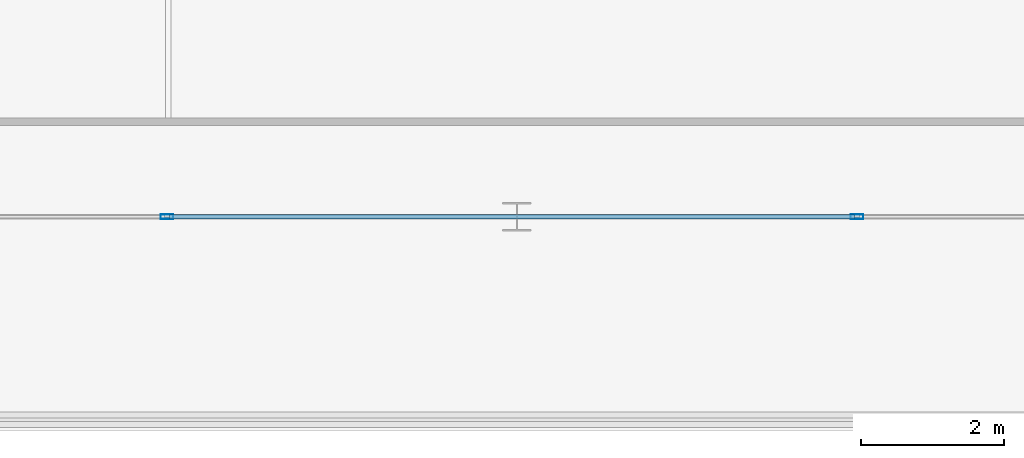
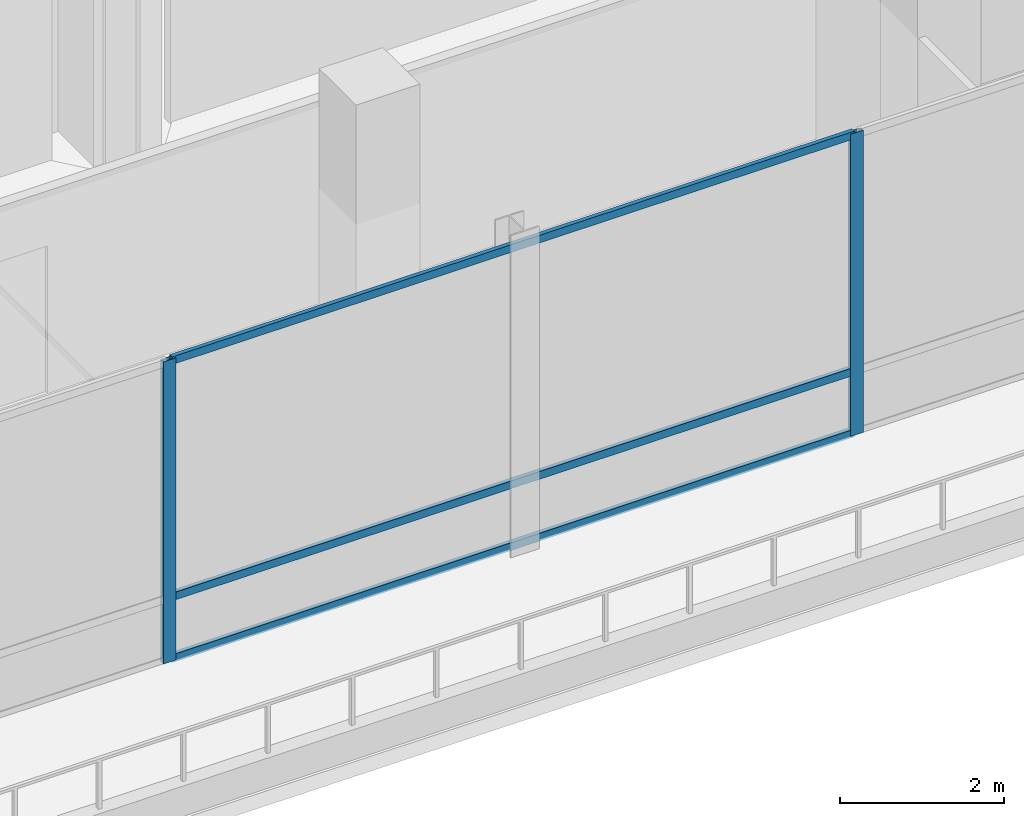
# One storey, part 7 of 39: 5 members, 1 element without a shape of its own.
"""IFC4 building model written with IfcOpenShell, lengths in metres."""

from ifc_helpers import new_model, si_unit, direction, frame, origin, origin_2d, place, context, subcontext, project, spatial, hollow_rectangle, extrude, material, layer, layer_set, material_profile, profile_set, type_object, element, aggregate, save


model = new_model("IFC4")

# Units and contexts
model_context = context("Model", 3, precision=1e-05, world=origin(), true_north=direction((0.0, 1.0)))
body_context = subcontext(model_context, "Body", "Model", "MODEL_VIEW")
ifc_project = project(units=[si_unit("LENGTHUNIT", "METRE"), si_unit("AREAUNIT", "SQUARE_METRE"), si_unit("VOLUMEUNIT", "CUBIC_METRE"), si_unit("PLANEANGLEUNIT", "RADIAN"), si_unit("MASSUNIT", "GRAM", prefix="KILO")], contexts=[model_context])

# Site, building, storey
site_placement = place(None, origin())
site = spatial("IfcSite", under=ifc_project, at=site_placement, CompositionType="ELEMENT")
building_placement = place(site_placement, origin())
building = spatial("IfcBuilding", under=site, at=building_placement, Name="Qianvela Tower", CompositionType="ELEMENT")
storey_placement = place(building_placement, frame((0.0, 0.0, 15.800048828125)))
storey = spatial("IfcBuildingStorey", under=building, at=storey_placement, Name="L03", CompositionType="ELEMENT", Elevation=15.800048828125)

# Curtain wall, members
ifc_material_1 = material(Name="Anodised Architectural Aluminium and Low-E Glass", Category="aluminium")
ifc_layer = layer(ifc_material_1, 0.179931640625)
ifc_layer_set = layer_set([ifc_layer], Name="Anodised Architectural Aluminium and Low-E Glass")
curtain_wall_type = type_object("IfcCurtainWallType", Name="CW-COMMONS", PredefinedType="USERDEFINED", material=ifc_layer_set)
curtain_wall_placement = place(storey_placement, origin())
curtain_wall = element("IfcCurtainWall", 1, at=curtain_wall_placement, inside=storey, type_object=curtain_wall_type, Name="L03 CW-COMMONS Curtain Wall 01", ObjectType="CURTAIN_WALL_SYSTEM", PredefinedType="USERDEFINED")
ifc_material_2 = material(Name="Anodised Architectural Aluminium 6063-T6", Category="aluminium")
ifc_material_profile_1 = material_profile(ifc_material_2, hollow_rectangle(XDim=0.070068359375, YDim=0.179931640625, WallThickness=0.0048828125, at=origin_2d()), Name="ALU-MULL-70x180")
ifc_profile_set_1 = profile_set([ifc_material_profile_1], Name="Anodised Architectural Aluminium 6063-T6")
member_type_1 = type_object("IfcMemberType", Name="CW-COMMONS-MULL", PredefinedType="MULLION", material=ifc_profile_set_1)
member_1_placement = place(storey_placement, frame((18.13330078125, 4.5, 0.0), z_axis=(0.0, 0.0, 1.0), x_axis=(0.0, 1.0, 0.0)))
member_1 = element("IfcMember", 2, at=member_1_placement, type_object=member_type_1, Name="CW-2 mullion 2", PredefinedType="MULLION", context=body_context, shape_type="SweptSolid", body=[
    extrude(hollow_rectangle(XDim=0.070068359375, YDim=0.179931640625, WallThickness=0.0048828125, at=origin_2d()), origin(), (0.0, 0.0, 1.0), 4.5),
])
member_2_placement = place(storey_placement, frame((27.816650390625, 4.5, 0.0), z_axis=(0.0, 0.0, 1.0), x_axis=(0.0, 1.0, 0.0)))
member_2 = element("IfcMember", 3, at=member_2_placement, type_object=member_type_1, Name="CW-2 mullion 3", PredefinedType="MULLION", context=body_context, shape_type="SweptSolid", body=[
    extrude(hollow_rectangle(XDim=0.070068359375, YDim=0.179931640625, WallThickness=0.0048828125, at=origin_2d()), origin(), (0.0, 0.0, 1.0), 4.5),
])
ifc_material_3 = material(Name="Anodised Architectural Aluminium 6063-T6", Category="aluminium")
ifc_material_profile_2 = material_profile(ifc_material_3, hollow_rectangle(XDim=0.06005859375, YDim=0.114990234375, WallThickness=0.00390625, at=origin_2d()), Name="ALU-TRAN-60x115")
ifc_profile_set_2 = profile_set([ifc_material_profile_2], Name="Anodised Architectural Aluminium 6063-T6")
member_type_2 = type_object("IfcMemberType", Name="CW-COMMONS-TRAN", PredefinedType="USERDEFINED", material=ifc_profile_set_2)
member_3_placement = place(storey_placement, frame((18.168212890625, 4.5, 0.030029296875), z_axis=(1.0, 0.0, 0.0), x_axis=(0.0, 1.0, 0.0)))
member_3 = element("IfcMember", 4, at=member_3_placement, type_object=member_type_2, Name="CW-2 transom 2.1", ObjectType="TRANSOM", PredefinedType="USERDEFINED", context=body_context, shape_type="SweptSolid", body=[
    extrude(hollow_rectangle(XDim=0.06005859375, YDim=0.114990234375, WallThickness=0.00390625, at=origin_2d()), origin(), (0.0, 0.0, 1.0), 9.613525390625),
])
member_4_placement = place(storey_placement, frame((18.168212890625, 4.5, 0.949951171875), z_axis=(1.0, 0.0, 0.0), x_axis=(0.0, 1.0, 0.0)))
member_4 = element("IfcMember", 5, at=member_4_placement, type_object=member_type_2, Name="CW-2 transom 2.2", ObjectType="TRANSOM", PredefinedType="USERDEFINED", context=body_context, shape_type="SweptSolid", body=[
    extrude(hollow_rectangle(XDim=0.06005859375, YDim=0.114990234375, WallThickness=0.00390625, at=origin_2d()), origin(), (0.0, 0.0, 1.0), 9.613525390625),
])
member_5_placement = place(storey_placement, frame((18.168212890625, 4.5, 4.469970703125), z_axis=(1.0, 0.0, 0.0), x_axis=(0.0, 1.0, 0.0)))
member_5 = element("IfcMember", 6, at=member_5_placement, type_object=member_type_2, Name="CW-2 transom 2.3", ObjectType="TRANSOM", PredefinedType="USERDEFINED", context=body_context, shape_type="SweptSolid", body=[
    extrude(hollow_rectangle(XDim=0.06005859375, YDim=0.114990234375, WallThickness=0.00390625, at=origin_2d()), origin(), (0.0, 0.0, 1.0), 9.613525390625),
])
aggregate(curtain_wall, [member_1, member_2, member_3, member_4, member_5])

save(model, "model.ifc")
